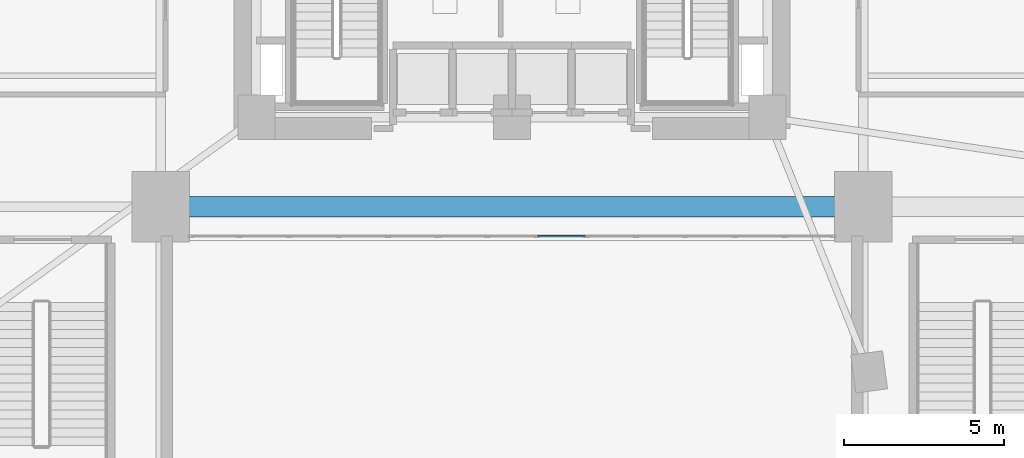
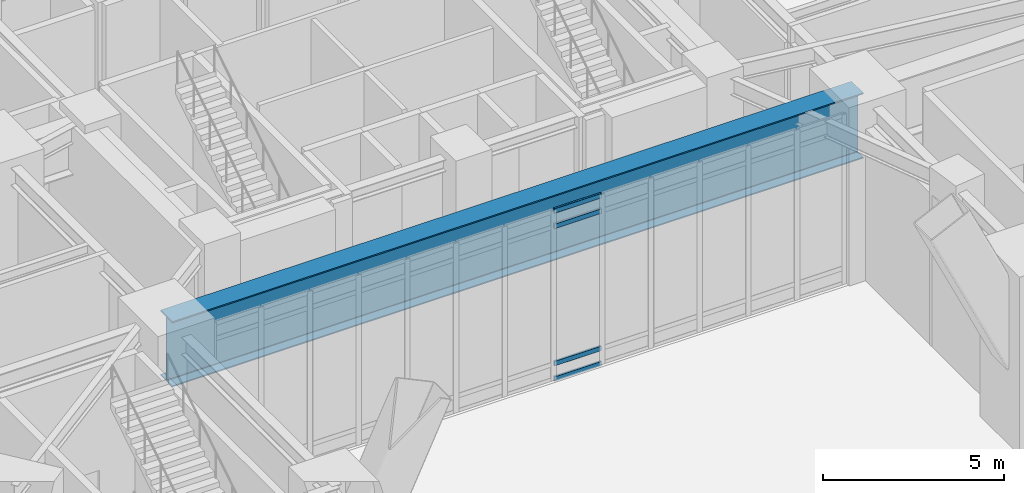
# One storey, part 5 of 27: 4 members, 1 beam, 1 element without a shape of its own.
"""IFC4 building model written with IfcOpenShell, lengths in metres."""

from ifc_helpers import new_model, si_unit, direction, frame, origin, origin_2d, place, context, subcontext, project, spatial, hollow_rectangle, i_section, extrude, material, layer, layer_set, material_profile, profile_set, type_object, element, aggregate, save


model = new_model("IFC4")

# Units and contexts
model_context = context("Model", 3, precision=1e-05, world=origin(), true_north=direction((0.0, 1.0)))
body_context = subcontext(model_context, "Body", "Model", "MODEL_VIEW")
ifc_project = project(units=[si_unit("LENGTHUNIT", "METRE"), si_unit("AREAUNIT", "SQUARE_METRE"), si_unit("VOLUMEUNIT", "CUBIC_METRE"), si_unit("PLANEANGLEUNIT", "RADIAN"), si_unit("MASSUNIT", "GRAM", prefix="KILO")], contexts=[model_context])

# Site, building, storey
site_placement = place(None, origin())
site = spatial("IfcSite", under=ifc_project, at=site_placement, CompositionType="ELEMENT")
building_placement = place(site_placement, origin())
building = spatial("IfcBuilding", under=site, at=building_placement, Name="Ndelora Gate Hotel", CompositionType="ELEMENT")
storey_placement = place(building_placement, origin())
storey = spatial("IfcBuildingStorey", under=building, at=storey_placement, Name="L00", CompositionType="ELEMENT", Elevation=0.0)

# Beam
ifc_material_1 = material(Name="Steel S460", Category="steel")
ifc_material_profile_1 = material_profile(ifc_material_1, i_section(OverallWidth=0.64990234375, OverallDepth=2.199951171875, WebThickness=0.030029296875, FlangeThickness=0.0400390625, FilletRadius=0.02392578125, at=origin_2d()), Name="PG 2200x650x40")
ifc_profile_set_1 = profile_set([ifc_material_profile_1], Name="Steel S460")
beam_type = type_object("IfcBeamType", Name="BM-TR-2200", PredefinedType="BEAM", material=ifc_profile_set_1)
beam_placement = place(storey_placement, frame((-11.0, -9.39990234375, 4.6201171875), z_axis=(1.0, 0.0, 0.0), x_axis=(0.0, 1.0, 0.0)))
element("IfcBeam", 1, at=beam_placement, inside=storey, type_object=beam_type, Name="L00 structural beam TG-0", PredefinedType="BEAM", context=body_context, shape_type="SweptSolid", body=[
    extrude(i_section(OverallWidth=0.64990234375, OverallDepth=2.199951171875, WebThickness=0.030029296875, FlangeThickness=0.0400390625, FilletRadius=0.02392578125, at=origin_2d()), origin(), (0.0, 0.0, 1.0), 22.0),
])

# Curtain wall, members
ifc_material_2 = material(Name="Bronze Anodised Unitised Aluminium and Low-E Glass", Category="aluminium")
ifc_layer = layer(ifc_material_2, 0.239990234375)
ifc_layer_set = layer_set([ifc_layer], Name="Bronze Anodised Unitised Aluminium and Low-E Glass")
curtain_wall_type = type_object("IfcCurtainWallType", Name="CW-SYS-1", PredefinedType="NOTDEFINED", material=ifc_layer_set)
curtain_wall_placement = place(storey_placement, origin())
curtain_wall = element("IfcCurtainWall", 2, at=curtain_wall_placement, inside=storey, type_object=curtain_wall_type, Name="L00 South Portal Arch Concourse Curtain Wall CW1", PredefinedType="NOTDEFINED")
ifc_material_3 = material(Name="Bronze Anodised Aluminium 6063-T6", Category="aluminium")
ifc_material_profile_2 = material_profile(ifc_material_3, hollow_rectangle(XDim=0.06494140625, YDim=0.159912109375, WallThickness=0.00390625, InnerFilletRadius=0.00390625, OuterFilletRadius=0.008056640625, at=origin_2d()), Name="ALU 160x65x4")
ifc_profile_set_2 = profile_set([ifc_material_profile_2], Name="Bronze Anodised Aluminium 6063-T6")
member_type = type_object("IfcMemberType", Name="MB-CW-TRN150", PredefinedType="USERDEFINED", material=ifc_profile_set_2)
member_1_placement = place(storey_placement, frame((0.804443359375, -10.320068359375, 0.032470703125), z_axis=(1.0, 0.0, 0.0), x_axis=(0.0, 1.0, 0.0)))
member_1 = element("IfcMember", 3, at=member_1_placement, type_object=member_type, Name="CW1 transom 8.1", ObjectType="TRANSOM", PredefinedType="USERDEFINED", context=body_context, shape_type="SweptSolid", body=[
    extrude(hollow_rectangle(XDim=0.06494140625, YDim=0.159912109375, WallThickness=0.00390625, InnerFilletRadius=0.00390625, OuterFilletRadius=0.008056640625, at=origin_2d()), origin(), (0.0, 0.0, 1.0), 1.49267578125),
])
member_2_placement = place(storey_placement, frame((0.804443359375, -10.320068359375, 0.550048828125), z_axis=(1.0, 0.0, 0.0), x_axis=(0.0, 1.0, 0.0)))
member_2 = element("IfcMember", 4, at=member_2_placement, type_object=member_type, Name="CW1 transom 8.2", ObjectType="TRANSOM", PredefinedType="USERDEFINED", context=body_context, shape_type="SweptSolid", body=[
    extrude(hollow_rectangle(XDim=0.06494140625, YDim=0.159912109375, WallThickness=0.00390625, InnerFilletRadius=0.00390625, OuterFilletRadius=0.008056640625, at=origin_2d()), origin(), (0.0, 0.0, 1.0), 1.49267578125),
])
member_3_placement = place(storey_placement, frame((0.804443359375, -10.320068359375, 5.169921875), z_axis=(1.0, 0.0, 0.0), x_axis=(0.0, 1.0, 0.0)))
member_3 = element("IfcMember", 5, at=member_3_placement, type_object=member_type, Name="CW1 transom 8.3", ObjectType="TRANSOM", PredefinedType="USERDEFINED", context=body_context, shape_type="SweptSolid", body=[
    extrude(hollow_rectangle(XDim=0.06494140625, YDim=0.159912109375, WallThickness=0.00390625, InnerFilletRadius=0.00390625, OuterFilletRadius=0.008056640625, at=origin_2d()), origin(), (0.0, 0.0, 1.0), 1.49267578125),
])
member_4_placement = place(storey_placement, frame((0.804443359375, -10.320068359375, 5.6875), z_axis=(1.0, 0.0, 0.0), x_axis=(0.0, 1.0, 0.0)))
member_4 = element("IfcMember", 6, at=member_4_placement, type_object=member_type, Name="CW1 transom 8.4", ObjectType="TRANSOM", PredefinedType="USERDEFINED", context=body_context, shape_type="SweptSolid", body=[
    extrude(hollow_rectangle(XDim=0.06494140625, YDim=0.159912109375, WallThickness=0.00390625, InnerFilletRadius=0.00390625, OuterFilletRadius=0.008056640625, at=origin_2d()), origin(), (0.0, 0.0, 1.0), 1.49267578125),
])
aggregate(curtain_wall, [member_1, member_2, member_3, member_4])

save(model, "model.ifc")
